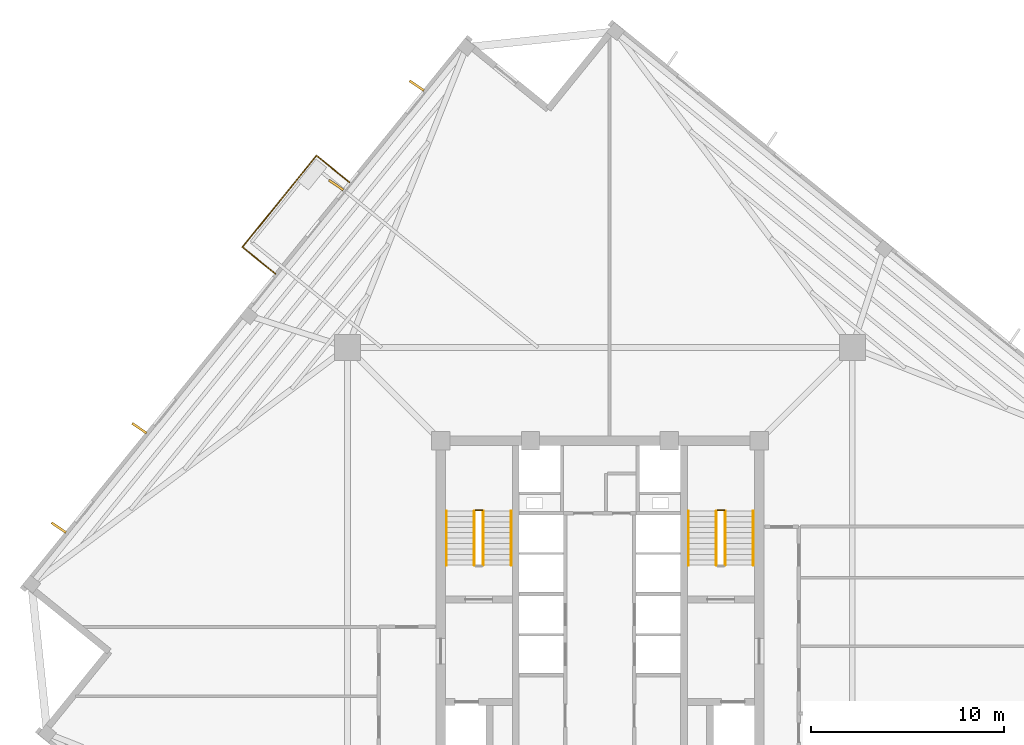
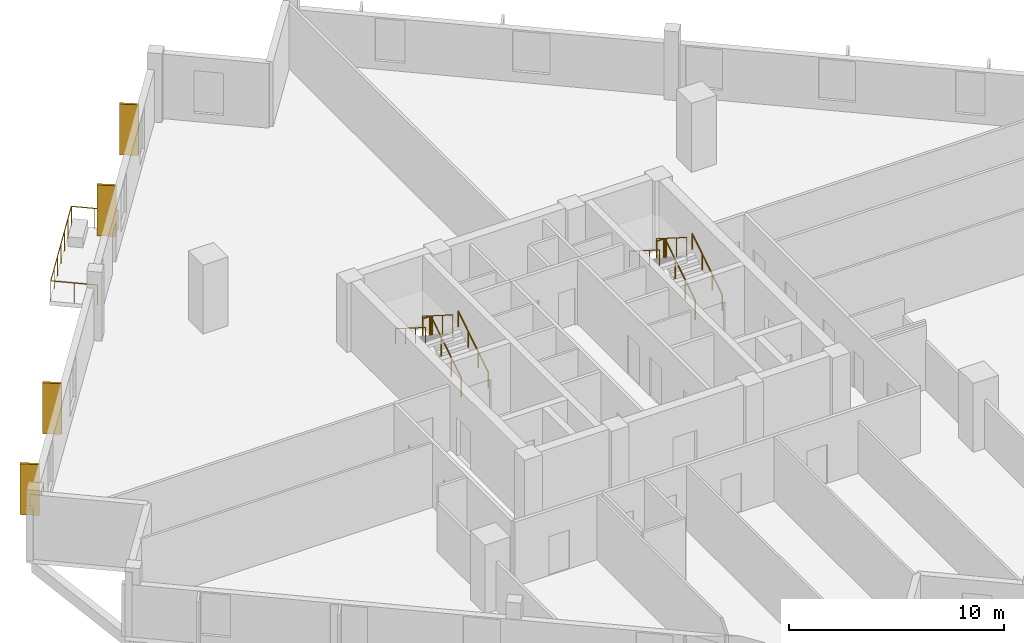
# One storey, part 8 of 9: 13 railings, 4 coverings.
"""IFC4 building model written with IfcOpenShell, lengths in metres."""

from ifc_helpers import new_model, si_unit, direction, frame, origin, origin_2d, place, context, subcontext, project, spatial, rectangle, circle, extrude, source, transform, mapped, material, layer, layer_set, type_object, element, save


model = new_model("IFC4")

# Units and contexts
model_context = context("Model", 3, precision=1e-05, world=origin(), true_north=direction((0.0, 1.0)))
body_context = subcontext(model_context, "Body", "Model", "MODEL_VIEW")
ifc_project = project(units=[si_unit("LENGTHUNIT", "METRE"), si_unit("AREAUNIT", "SQUARE_METRE"), si_unit("VOLUMEUNIT", "CUBIC_METRE"), si_unit("PLANEANGLEUNIT", "RADIAN"), si_unit("MASSUNIT", "GRAM", prefix="KILO"), si_unit("THERMODYNAMICTEMPERATUREUNIT", "KELVIN")], contexts=[model_context])

# Site, building, storey
site_placement = place(None, origin())
site = spatial("IfcSite", under=ifc_project, at=site_placement, CompositionType="ELEMENT")
building_placement = place(site_placement, origin())
building = spatial("IfcBuilding", under=site, at=building_placement, Name="Kosmvard Interchange Tower", CompositionType="ELEMENT")
storey_placement = place(building_placement, frame((0.0, 0.0, 213.39990234375)))
storey = spatial("IfcBuildingStorey", under=building, at=storey_placement, Name="L51", CompositionType="ELEMENT", Elevation=213.39990234375)

# Railings
ifc_material_1 = material(Name="Steel S355", Category="steel")
railing_type_1 = type_object("IfcRailingType", Name="Observation & Balcony Glass-Infill Balustrade 1150", PredefinedType="BALUSTRADE", material=ifc_material_1)
shared_shape_1 = source(origin(), body_context, "Body", "SweptSolid", [
    extrude(circle(Radius=0.02392578125, at=origin_2d()), frame((0.0, 0.0, 1.1259765625), z_axis=(0.777195763313, -0.629258885904, 0.0), x_axis=(0.629258885904, 0.777195763313, 0.0)), (0.0, 0.0, 1.0), 2.199951171875),
    extrude(circle(Radius=0.02099609375, at=origin_2d()), origin(), (0.0, 0.0, 1.0), 1.101806640625),
    extrude(circle(Radius=0.02099609375, at=origin_2d()), frame((0.85498046875, -0.692138671875, 0.0)), (0.0, 0.0, 1.0), 1.101806640625),
    extrude(circle(Radius=0.02099609375, at=origin_2d()), frame((1.709716796875, -1.38427734375, 0.0)), (0.0, 0.0, 1.0), 1.101806640625),
])
railing_1_placement = place(storey_placement, frame((-18.523193359375, 18.281005859375, 0.0)))
element("IfcRailing", 1, at=railing_1_placement, inside=storey, type_object=railing_type_1, Name="L51 Outdoor Terrace Guard BAL-L51-N-C", PredefinedType="BALUSTRADE", context=body_context, shape_type="MappedRepresentation", body=[
    mapped(shared_shape_1, transform((0.0, 0.0, 0.0), scale=1.0)),
])
shared_shape_2 = source(origin(), body_context, "Body", "SweptSolid", [
    extrude(circle(Radius=0.02392578125, at=origin_2d()), frame((0.0, 0.0, 1.1259765625), z_axis=(-0.777141488432, 0.629325914736, 0.0), x_axis=(-0.629325914736, -0.777141488432, 0.0)), (0.0, 0.0, 1.0), 2.199951171875),
    extrude(circle(Radius=0.02099609375, at=origin_2d()), origin(), (0.0, 0.0, 1.0), 1.101806640625),
    extrude(circle(Radius=0.02099609375, at=origin_2d()), frame((-0.85498046875, 0.6923828125, 0.0)), (0.0, 0.0, 1.0), 1.101806640625),
    extrude(circle(Radius=0.02099609375, at=origin_2d()), frame((-1.709716796875, 1.384521484375, 0.0)), (0.0, 0.0, 1.0), 1.101806640625),
])
railing_2_placement = place(storey_placement, frame((-12.974853515625, 21.63720703125, 0.0)))
element("IfcRailing", 2, at=railing_2_placement, inside=storey, type_object=railing_type_1, Name="L51 Outdoor Terrace Guard BAL-L51-N-A", PredefinedType="BALUSTRADE", context=body_context, shape_type="MappedRepresentation", body=[
    mapped(shared_shape_2, transform((0.0, 0.0, 0.0), scale=1.0)),
])

# Coverings
ifc_material_2 = material(Name="Architectural anodised aluminium", Category="aluminium")
ifc_layer = layer(ifc_material_2, 0.1201171875, Name="Architectural anodised aluminium")
ifc_layer_set = layer_set([ifc_layer], Name="Architectural anodised aluminium")
covering_type = type_object("IfcCoveringType", Name="Rotating Vertical Sun-Breaker Fin 900x120 Aluminium", PredefinedType="CLADDING", material=ifc_layer_set)
shared_shape_3 = source(origin(), body_context, "Body", "SweptSolid", [
    extrude(rectangle(XDim=0.89990234375, YDim=0.1201171875, at=origin_2d()), origin(), (0.0, 0.0, 1.0), 2.8798828125),
])
for number, where, z_axis, x_axis, name in (
    (3, (-9.494384765625, 26.650146484375, 0.0400390625), (0.0, 0.0, 1.0), (-0.826393242792, 0.563093427655, 0.0), "L51 Rotating Vertical Sun-Breaker Fin 09"),
    (4, (-13.66748046875, 21.49658203125, 0.0400390625), (0.0, 0.0, 1.0), (-0.826393242792, 0.563093427655, 0.0), "L51 Rotating Vertical Sun-Breaker Fin 10"),
    (5, (-23.86865234375, 8.8994140625, 0.0400390625), (0.0, 0.0, 1.0), (-0.826393242792, 0.563093427655, 0.0), "L51 Rotating Vertical Sun-Breaker Fin 11"),
    (6, (-28.041748046875, 3.74609375, 0.0400390625), (0.0, 0.0, 1.0), (-0.826393242792, 0.563093427655, 0.0), "L51 Rotating Vertical Sun-Breaker Fin 12"),
):
    element("IfcCovering", number, at=place(storey_placement, frame(where, z_axis=z_axis, x_axis=x_axis)), inside=storey, type_object=covering_type, Name=name, PredefinedType="CLADDING", context=body_context, shape_type="MappedRepresentation", body=[
        mapped(shared_shape_3, transform((0.0, 0.0, 0.0), scale=1.0)),
    ])

# Railings
shared_shape_4 = source(origin(), body_context, "Body", "SweptSolid", [
    extrude(circle(Radius=0.02392578125, at=origin_2d()), frame((0.0, 0.0, 1.1259765625), z_axis=(-0.629286879001, -0.777173097783, 0.0), x_axis=(0.777173097783, -0.629286879001, 0.0)), (0.0, 0.0, 1.0), 6.099853515625),
    extrude(circle(Radius=0.02099609375, at=origin_2d()), origin(), (0.0, 0.0, 1.0), 1.101806640625),
    extrude(circle(Radius=0.02099609375, at=origin_2d()), frame((-0.6396484375, -0.7900390625, 0.0)), (0.0, 0.0, 1.0), 1.101806640625),
    extrude(circle(Radius=0.02099609375, at=origin_2d()), frame((-1.279541015625, -1.580322265625, 0.0)), (0.0, 0.0, 1.0), 1.101806640625),
    extrude(circle(Radius=0.02099609375, at=origin_2d()), frame((-1.91943359375, -2.370361328125, 0.0)), (0.0, 0.0, 1.0), 1.101806640625),
    extrude(circle(Radius=0.02099609375, at=origin_2d()), frame((-2.55908203125, -3.160400390625, 0.0)), (0.0, 0.0, 1.0), 1.101806640625),
    extrude(circle(Radius=0.02099609375, at=origin_2d()), frame((-3.19873046875, -3.95068359375, 0.0)), (0.0, 0.0, 1.0), 1.101806640625),
    extrude(circle(Radius=0.02099609375, at=origin_2d()), frame((-3.838623046875, -4.74072265625, 0.0)), (0.0, 0.0, 1.0), 1.101806640625),
])
railing_3_placement = place(storey_placement, frame((-14.6845703125, 23.021728515625, 0.0)))
element("IfcRailing", 7, at=railing_3_placement, inside=storey, type_object=railing_type_1, Name="L51 Outdoor Terrace Guard BAL-L51-N-B", PredefinedType="BALUSTRADE", context=body_context, shape_type="MappedRepresentation", body=[
    mapped(shared_shape_4, transform((0.0, 0.0, 0.0), scale=1.0)),
])
railing_type_2 = type_object("IfcRailingType", Name="Stair & Terrace Safety Guardrail 1100 Steel", PredefinedType="GUARDRAIL", material=ifc_material_1)
shared_shape_5 = source(origin(), body_context, "Body", "SweptSolid", [
    extrude(circle(Radius=0.02392578125, at=origin_2d()), frame((0.0, 0.0, 1.076171875), z_axis=(-1.0, 0.0, 0.0), x_axis=(0.0, -1.0, 0.0)), (0.0, 0.0, 1.0), 0.35986328125),
    extrude(circle(Radius=0.02099609375, at=origin_2d()), origin(), (0.0, 0.0, 1.0), 1.052001953125),
    extrude(circle(Radius=0.02099609375, at=origin_2d()), frame((-0.35986328125, 0.0, 0.0)), (0.0, 0.0, 1.0), 1.052001953125),
])
for number, where, name in (
    (8, (-6.090087890625, 4.64990234375, 1.9501953125), "L51 ST-1 stair guard 2"),
    (9, (6.449951171875, 4.64990234375, 1.9501953125), "L51 ST-2 stair guard 2"),
):
    element("IfcRailing", number, at=place(storey_placement, frame(where)), inside=storey, type_object=railing_type_2, Name=name, PredefinedType="GUARDRAIL", context=body_context, shape_type="MappedRepresentation", body=[
        mapped(shared_shape_5, transform((0.0, 0.0, 0.0), scale=1.0)),
    ])
shared_shape_6 = source(origin(), body_context, "Body", "SweptSolid", [
    extrude(circle(Radius=0.02392578125, at=origin_2d()), frame((0.0, 0.0, 1.076171875), z_axis=(0.0, 0.844908973607, 0.534910110503), x_axis=(-1.0, 0.0, 0.0)), (0.0, 0.0, 1.0), 3.31396484375),
    extrude(circle(Radius=0.02099609375, at=origin_2d()), origin(), (0.0, 0.0, 1.0), 1.052001953125),
    extrude(circle(Radius=0.02099609375, at=origin_2d()), frame((0.0, 0.933349609375, 0.5908203125)), (0.0, 0.0, 1.0), 1.052001953125),
    extrude(circle(Radius=0.02099609375, at=origin_2d()), frame((0.0, 1.86669921875, 1.181884765625)), (0.0, 0.0, 1.0), 1.052001953125),
    extrude(circle(Radius=0.02099609375, at=origin_2d()), frame((0.0, 2.800048828125, 1.772705078125)), (0.0, 0.0, 1.0), 1.052001953125),
])
for number, where, name in (
    (10, (-6.0400390625, 1.800048828125, 0.177490234375), "L51 ST-1 stair guard 1"),
    (11, (6.5, 1.800048828125, 0.177490234375), "L51 ST-2 stair guard 1"),
):
    element("IfcRailing", number, at=place(storey_placement, frame(where)), inside=storey, type_object=railing_type_2, Name=name, PredefinedType="GUARDRAIL", context=body_context, shape_type="MappedRepresentation", body=[
        mapped(shared_shape_6, transform((0.0, 0.0, 0.0), scale=1.0)),
    ])
shared_shape_7 = source(origin(), body_context, "Body", "SweptSolid", [
    extrude(circle(Radius=0.02392578125, at=origin_2d()), frame((0.0, 0.0, 1.076171875), z_axis=(0.0, -0.844908973607, 0.534910110503), x_axis=(1.0, 0.0, 0.0)), (0.0, 0.0, 1.0), 3.31396484375),
    extrude(circle(Radius=0.02099609375, at=origin_2d()), origin(), (0.0, 0.0, 1.0), 1.052001953125),
    extrude(circle(Radius=0.02099609375, at=origin_2d()), frame((0.0, -0.933349609375, 0.5908203125)), (0.0, 0.0, 1.0), 1.052001953125),
    extrude(circle(Radius=0.02099609375, at=origin_2d()), frame((0.0, -1.86669921875, 1.181884765625)), (0.0, 0.0, 1.0), 1.052001953125),
    extrude(circle(Radius=0.02099609375, at=origin_2d()), frame((0.0, -2.800048828125, 1.772705078125)), (0.0, 0.0, 1.0), 1.052001953125),
])
for number, where, name in (
    (12, (-6.5, 4.60009765625, 2.12744140625), "L51 ST-1 stair guard 3"),
    (13, (6.0400390625, 4.60009765625, 2.12744140625), "L51 ST-2 stair guard 3"),
):
    element("IfcRailing", number, at=place(storey_placement, frame(where)), inside=storey, type_object=railing_type_2, Name=name, PredefinedType="GUARDRAIL", context=body_context, shape_type="MappedRepresentation", body=[
        mapped(shared_shape_7, transform((0.0, 0.0, 0.0), scale=1.0)),
    ])
railing_type_3 = type_object("IfcRailingType", Name="Wall-Mounted Stair Handrail 900 Steel", PredefinedType="HANDRAIL", material=ifc_material_1)
shared_shape_8 = source(origin(), body_context, "Body", "SweptSolid", [
    extrude(circle(Radius=0.02392578125, at=origin_2d()), frame((0.0, 0.0, 0.8759765625), z_axis=(0.0, 0.844908973607, 0.534910110503), x_axis=(-1.0, 0.0, 0.0)), (0.0, 0.0, 1.0), 3.31396484375),
    extrude(circle(Radius=0.02099609375, at=origin_2d()), origin(), (0.0, 0.0, 1.0), 0.851806640625),
    extrude(circle(Radius=0.02099609375, at=origin_2d()), frame((0.0, 0.933349609375, 0.5908203125)), (0.0, 0.0, 1.0), 0.851806640625),
    extrude(circle(Radius=0.02099609375, at=origin_2d()), frame((0.0, 1.86669921875, 1.181884765625)), (0.0, 0.0, 1.0), 0.851806640625),
    extrude(circle(Radius=0.02099609375, at=origin_2d()), frame((0.0, 2.800048828125, 1.772705078125)), (0.0, 0.0, 1.0), 0.851806640625),
])
for number, where, name in (
    (14, (-4.590087890625, 1.800048828125, 0.177490234375), "L51 ST-1 stair handrail 1"),
    (15, (7.949951171875, 1.800048828125, 0.177490234375), "L51 ST-2 stair handrail 1"),
):
    element("IfcRailing", number, at=place(storey_placement, frame(where)), inside=storey, type_object=railing_type_3, Name=name, PredefinedType="HANDRAIL", context=body_context, shape_type="MappedRepresentation", body=[
        mapped(shared_shape_8, transform((0.0, 0.0, 0.0), scale=1.0)),
    ])
shared_shape_9 = source(origin(), body_context, "Body", "SweptSolid", [
    extrude(circle(Radius=0.02392578125, at=origin_2d()), frame((0.0, 0.0, 0.8759765625), z_axis=(0.0, -0.844908973607, 0.534910110503), x_axis=(1.0, 0.0, 0.0)), (0.0, 0.0, 1.0), 3.31396484375),
    extrude(circle(Radius=0.02099609375, at=origin_2d()), origin(), (0.0, 0.0, 1.0), 0.851806640625),
    extrude(circle(Radius=0.02099609375, at=origin_2d()), frame((0.0, -0.933349609375, 0.5908203125)), (0.0, 0.0, 1.0), 0.851806640625),
    extrude(circle(Radius=0.02099609375, at=origin_2d()), frame((0.0, -1.86669921875, 1.181884765625)), (0.0, 0.0, 1.0), 0.851806640625),
    extrude(circle(Radius=0.02099609375, at=origin_2d()), frame((0.0, -2.800048828125, 1.772705078125)), (0.0, 0.0, 1.0), 0.851806640625),
])
for number, where, name in (
    (16, (-7.949951171875, 4.60009765625, 2.12744140625), "L51 ST-1 stair handrail 2"),
    (17, (4.590087890625, 4.60009765625, 2.12744140625), "L51 ST-2 stair handrail 2"),
):
    element("IfcRailing", number, at=place(storey_placement, frame(where)), inside=storey, type_object=railing_type_3, Name=name, PredefinedType="HANDRAIL", context=body_context, shape_type="MappedRepresentation", body=[
        mapped(shared_shape_9, transform((0.0, 0.0, 0.0), scale=1.0)),
    ])

save(model, "model.ifc")
